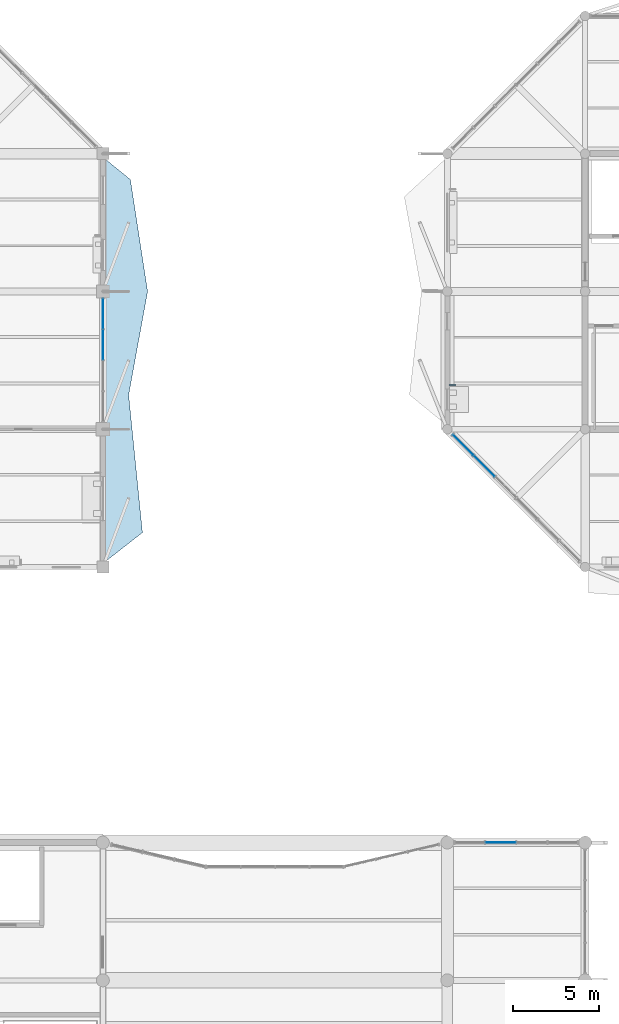
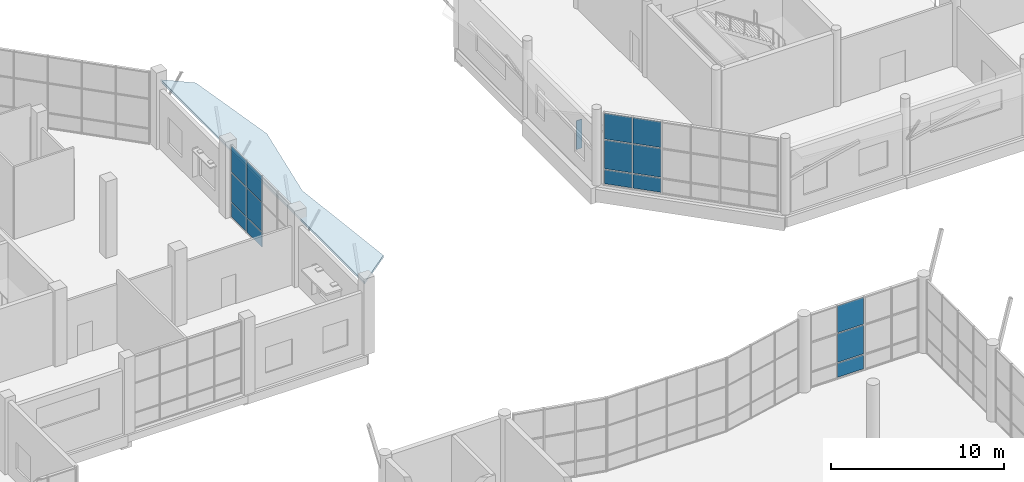
# One storey, part 87 of 122: 16 plates, 1 slab, 3 elements without a shape of their own.
"""IFC4 building model written with IfcOpenShell, lengths in metres."""

from ifc_helpers import new_model, si_unit, direction, frame, origin, origin_2d, place, context, subcontext, project, spatial, polyline, rectangle, outline, extrude, material, layer, layer_set, type_object, element, aggregate, save


model = new_model("IFC4")

# Units and contexts
model_context = context("Model", 3, precision=1e-05, world=origin(), true_north=direction((0.0, 1.0)))
body_context = subcontext(model_context, "Body", "Model", "MODEL_VIEW")
ifc_project = project(units=[si_unit("LENGTHUNIT", "METRE"), si_unit("AREAUNIT", "SQUARE_METRE"), si_unit("VOLUMEUNIT", "CUBIC_METRE"), si_unit("PLANEANGLEUNIT", "RADIAN"), si_unit("MASSUNIT", "GRAM", prefix="KILO")], contexts=[model_context])

# Site, building, storey
site_placement = place(None, origin())
site = spatial("IfcSite", under=ifc_project, at=site_placement, CompositionType="ELEMENT")
building_placement = place(site_placement, origin())
building = spatial("IfcBuilding", under=site, at=building_placement, Name="Tenunan Teduh Sports Hall", CompositionType="ELEMENT")
storey_placement = place(building_placement, frame((0.0, 0.0, 5.39990234375)))
storey = spatial("IfcBuildingStorey", under=building, at=storey_placement, Name="L01", CompositionType="ELEMENT", Elevation=5.39990234375)

# Curtain wall, plates
ifc_material_1 = material(Name="Anodised aluminium", Category="aluminium")
curtain_wall_type = type_object("IfcCurtainWallType", Name="CW-UNIT-1", PredefinedType="NOTDEFINED", material=ifc_material_1)
curtain_wall_1_placement = place(storey_placement, origin())
curtain_wall_1 = element("IfcCurtainWall", 1, at=curtain_wall_1_placement, inside=storey, type_object=curtain_wall_type, Name="CW-CWM-220-L01-165", PredefinedType="NOTDEFINED")
ifc_material_2 = material(Name="Solar-control laminated glazing", Category="glass")
ifc_layer_1 = layer(ifc_material_2, 0.031982421875)
ifc_layer_set_1 = layer_set([ifc_layer_1], Name="Solar-control laminated glazing")
plate_type_1 = type_object("IfcPlateType", Name="CWP-GLZ-32", PredefinedType="CURTAIN_PANEL", material=ifc_layer_set_1)
plate_1_placement = place(storey_placement, frame((101.09375, 70.0, 1.1376953125), z_axis=(0.0, 0.0, 1.0), x_axis=(1.0, 0.0, 0.0)))
plate_1 = element("IfcPlate", 2, at=plate_1_placement, type_object=plate_type_1, Name="CW-01 panel 2.2", PredefinedType="CURTAIN_PANEL", context=body_context, shape_type="SweptSolid", body=[
    extrude(rectangle(XDim=1.737548828125, YDim=0.031982421875, at=origin_2d()), origin(), (0.0, 0.0, 1.0), 2.02490234375),
])
plate_2_placement = place(storey_placement, frame((101.09375, 70.0, 3.23779296875), z_axis=(0.0, 0.0, 1.0), x_axis=(1.0, 0.0, 0.0)))
plate_2 = element("IfcPlate", 3, at=plate_2_placement, type_object=plate_type_1, Name="CW-01 panel 2.3", PredefinedType="CURTAIN_PANEL", context=body_context, shape_type="SweptSolid", body=[
    extrude(rectangle(XDim=1.737548828125, YDim=0.031982421875, at=origin_2d()), origin(), (0.0, 0.0, 1.0), 1.887451171875),
])

curtain_wall_2_placement = place(storey_placement, origin())
curtain_wall_2 = element("IfcCurtainWall", 4, at=curtain_wall_2_placement, inside=storey, type_object=curtain_wall_type, Name="CW-CWM-150-L01-203", PredefinedType="NOTDEFINED")
plate_3_placement = place(storey_placement, frame((78.0, 98.91552734375, 1.130126953125), z_axis=(0.0, 0.0, 1.0), x_axis=(0.0, 1.0, 0.0)))
plate_3 = element("IfcPlate", 5, at=plate_3_placement, type_object=plate_type_1, Name="CW-01 panel 3.2", PredefinedType="CURTAIN_PANEL", context=body_context, shape_type="SweptSolid", body=[
    extrude(rectangle(XDim=1.746337890625, YDim=0.031982421875, at=origin_2d()), origin(), (0.0, 0.0, 1.0), 2.0400390625),
])
plate_4_placement = place(storey_placement, frame((78.0, 98.91552734375, 3.22998046875), z_axis=(0.0, 0.0, 1.0), x_axis=(0.0, 1.0, 0.0)))
plate_4 = element("IfcPlate", 6, at=plate_4_placement, type_object=plate_type_1, Name="CW-01 panel 3.3", PredefinedType="CURTAIN_PANEL", context=body_context, shape_type="SweptSolid", body=[
    extrude(rectangle(XDim=1.746337890625, YDim=0.031982421875, at=origin_2d()), origin(), (0.0, 0.0, 1.0), 1.830078125),
])
plate_5_placement = place(storey_placement, frame((78.0, 100.706787109375, 1.130126953125), z_axis=(0.0, 0.0, 1.0), x_axis=(0.0, 1.0, 0.0)))
plate_5 = element("IfcPlate", 7, at=plate_5_placement, type_object=plate_type_1, Name="CW-01 panel 4.2", PredefinedType="CURTAIN_PANEL", context=body_context, shape_type="SweptSolid", body=[
    extrude(rectangle(XDim=1.71630859375, YDim=0.031982421875, at=origin_2d()), origin(), (0.0, 0.0, 1.0), 2.0400390625),
])
plate_6_placement = place(storey_placement, frame((78.0, 100.706787109375, 3.22998046875), z_axis=(0.0, 0.0, 1.0), x_axis=(0.0, 1.0, 0.0)))
plate_6 = element("IfcPlate", 8, at=plate_6_placement, type_object=plate_type_1, Name="CW-01 panel 4.3", PredefinedType="CURTAIN_PANEL", context=body_context, shape_type="SweptSolid", body=[
    extrude(rectangle(XDim=1.71630859375, YDim=0.031982421875, at=origin_2d()), origin(), (0.0, 0.0, 1.0), 1.830078125),
])

curtain_wall_3_placement = place(storey_placement, origin())
curtain_wall_3 = element("IfcCurtainWall", 9, at=curtain_wall_3_placement, inside=storey, type_object=curtain_wall_type, Name="CW-CWM-220-L01-253", PredefinedType="NOTDEFINED")
plate_7_placement = place(storey_placement, frame((98.92041015625, 93.07958984375, 1.1376953125), z_axis=(0.0, 0.0, 1.0), x_axis=(0.707106781187, -0.707106781187, 0.0)))
plate_7 = element("IfcPlate", 10, at=plate_7_placement, type_object=plate_type_1, Name="CW-01 panel 1.2", PredefinedType="CURTAIN_PANEL", context=body_context, shape_type="SweptSolid", body=[
    extrude(rectangle(XDim=1.636962890625, YDim=0.031982421875, at=origin_2d()), origin(), (0.0, 0.0, 1.0), 2.02490234375),
])
plate_8_placement = place(storey_placement, frame((98.92041015625, 93.07958984375, 3.237548828125), z_axis=(0.0, 0.0, 1.0), x_axis=(0.707106781187, -0.707106781187, 0.0)))
plate_8 = element("IfcPlate", 11, at=plate_8_placement, type_object=plate_type_1, Name="CW-01 panel 1.3", PredefinedType="CURTAIN_PANEL", context=body_context, shape_type="SweptSolid", body=[
    extrude(rectangle(XDim=1.636962890625, YDim=0.031982421875, at=origin_2d()), origin(), (0.0, 0.0, 1.0), 1.8076171875),
])
plate_9_placement = place(storey_placement, frame((100.144287109375, 91.855712890625, 1.1376953125), z_axis=(0.0, 0.0, 1.0), x_axis=(0.707106781187, -0.707106781187, 0.0)))
plate_9 = element("IfcPlate", 12, at=plate_9_placement, type_object=plate_type_1, Name="CW-01 panel 2.2", PredefinedType="CURTAIN_PANEL", context=body_context, shape_type="SweptSolid", body=[
    extrude(rectangle(XDim=1.674560546875, YDim=0.031982421875, at=origin_2d()), origin(), (0.0, 0.0, 1.0), 2.02490234375),
])
plate_10_placement = place(storey_placement, frame((100.144287109375, 91.855712890625, 3.237548828125), z_axis=(0.0, 0.0, 1.0), x_axis=(0.707106781187, -0.707106781187, 0.0)))
plate_10 = element("IfcPlate", 13, at=plate_10_placement, type_object=plate_type_1, Name="CW-01 panel 2.3", PredefinedType="CURTAIN_PANEL", context=body_context, shape_type="SweptSolid", body=[
    extrude(rectangle(XDim=1.674560546875, YDim=0.031982421875, at=origin_2d()), origin(), (0.0, 0.0, 1.0), 1.8076171875),
])

# Plate
ifc_material_3 = material(Name="Insulated aluminium spandrel panel", Category="aluminium")
ifc_layer_2 = layer(ifc_material_3, 0.044921875)
ifc_layer_set_2 = layer_set([ifc_layer_2], Name="Insulated aluminium spandrel panel")
plate_type_2 = type_object("IfcPlateType", Name="CWP-SPN-45", PredefinedType="CURTAIN_PANEL", material=ifc_layer_set_2)
plate_11_placement = place(storey_placement, frame((101.09375, 70.0, 0.0751953125), z_axis=(0.0, 0.0, 1.0), x_axis=(1.0, 0.0, 0.0)))
plate_11 = element("IfcPlate", 14, at=plate_11_placement, type_object=plate_type_2, Name="CW-01 panel 2.1", PredefinedType="CURTAIN_PANEL", context=body_context, shape_type="SweptSolid", body=[
    extrude(rectangle(XDim=1.737548828125, YDim=0.031982421875, at=origin_2d()), origin(), (0.0, 0.0, 1.0), 0.987548828125),
])

aggregate(curtain_wall_1, [plate_11, plate_1, plate_2])

plate_12_placement = place(storey_placement, frame((78.0, 98.91552734375, 0.06005859375), z_axis=(0.0, 0.0, 1.0), x_axis=(0.0, 1.0, 0.0)))
plate_12 = element("IfcPlate", 15, at=plate_12_placement, type_object=plate_type_2, Name="CW-01 panel 3.1", PredefinedType="CURTAIN_PANEL", context=body_context, shape_type="SweptSolid", body=[
    extrude(rectangle(XDim=1.746337890625, YDim=0.031982421875, at=origin_2d()), origin(), (0.0, 0.0, 1.0), 1.010009765625),
])

plate_13_placement = place(storey_placement, frame((78.0, 100.706787109375, 0.06005859375), z_axis=(0.0, 0.0, 1.0), x_axis=(0.0, 1.0, 0.0)))
plate_13 = element("IfcPlate", 16, at=plate_13_placement, type_object=plate_type_2, Name="CW-01 panel 4.1", PredefinedType="CURTAIN_PANEL", context=body_context, shape_type="SweptSolid", body=[
    extrude(rectangle(XDim=1.71630859375, YDim=0.031982421875, at=origin_2d()), origin(), (0.0, 0.0, 1.0), 1.010009765625),
])

aggregate(curtain_wall_2, [plate_12, plate_3, plate_4, plate_13, plate_5, plate_6])

plate_14_placement = place(storey_placement, frame((98.92041015625, 93.07958984375, 0.0751953125), z_axis=(0.0, 0.0, 1.0), x_axis=(0.707106781187, -0.707106781187, 0.0)))
plate_14 = element("IfcPlate", 17, at=plate_14_placement, type_object=plate_type_2, Name="CW-01 panel 1.1", PredefinedType="CURTAIN_PANEL", context=body_context, shape_type="SweptSolid", body=[
    extrude(rectangle(XDim=1.636962890625, YDim=0.031982421875, at=origin_2d()), origin(), (0.0, 0.0, 1.0), 0.987548828125),
])

plate_15_placement = place(storey_placement, frame((100.144287109375, 91.855712890625, 0.0751953125), z_axis=(0.0, 0.0, 1.0), x_axis=(0.707106781187, -0.707106781187, 0.0)))
plate_15 = element("IfcPlate", 18, at=plate_15_placement, type_object=plate_type_2, Name="CW-01 panel 2.1", PredefinedType="CURTAIN_PANEL", context=body_context, shape_type="SweptSolid", body=[
    extrude(rectangle(XDim=1.674560546875, YDim=0.031982421875, at=origin_2d()), origin(), (0.0, 0.0, 1.0), 0.987548828125),
])

aggregate(curtain_wall_3, [plate_14, plate_7, plate_8, plate_15, plate_9, plate_10])

ifc_material_4 = material(Name="Anodised aluminium", Category="aluminium")
ifc_layer_3 = layer(ifc_material_4, 1.89990234375)
ifc_layer_set_3 = layer_set([ifc_layer_3], Name="Anodised aluminium")
plate_type_3 = type_object("IfcPlateType", Name="PLT-FIN-1", PredefinedType="SHEET", material=ifc_layer_set_3)
plate_16_placement = place(storey_placement, frame((98.304931640625, 96.56494140625, 0.780029296875), z_axis=(0.0, 0.0, 1.0), x_axis=(0.0, 1.0, 0.0)))
element("IfcPlate", 19, at=plate_16_placement, inside=storey, type_object=plate_type_3, Name="PLT-FIN-L01-089", PredefinedType="SHEET", context=body_context, shape_type="SweptSolid", body=[
    extrude(rectangle(XDim=0.0400390625, YDim=0.360107421875, at=origin_2d()), origin(), (0.0, 0.0, 1.0), 2.0400390625),
])

# Slab
ifc_material_5 = material(Name="Concrete C40/50", Category="concrete")
ifc_layer_4 = layer(ifc_material_5, 0.159912109375)
ifc_layer_set_4 = layer_set([ifc_layer_4], Name="Concrete C40/50")
slab_type = type_object("IfcSlabType", Name="SLB-ROOF-160", PredefinedType="ROOF", material=ifc_layer_set_4)
slab_placement = place(storey_placement, frame((0.0, 0.0, 4.590087890625)))
element("IfcSlab", 20, at=slab_placement, inside=storey, type_object=slab_type, Name="Window Head Sun-Shade Hood SHD-RIB-V5W-E-L01", PredefinedType="ROOF", context=body_context, shape_type="SweptSolid", body=[
    extrude(outline(polyline([(78.0, 86.199951171875), (80.300048828125, 88.0), (79.5, 96.0), (80.60009765625, 102.0), (79.60009765625, 108.5), (78.0, 109.800048828125), (78.0, 86.199951171875)])), origin(), (0.0, 0.0, 1.0), 0.159912109375),
])

save(model, "model.ifc")
